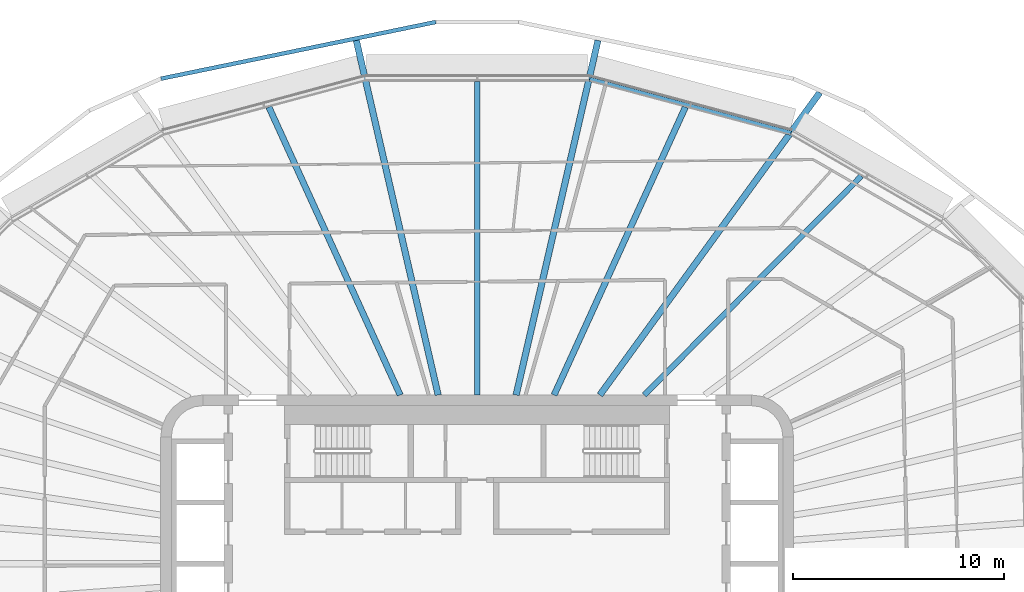
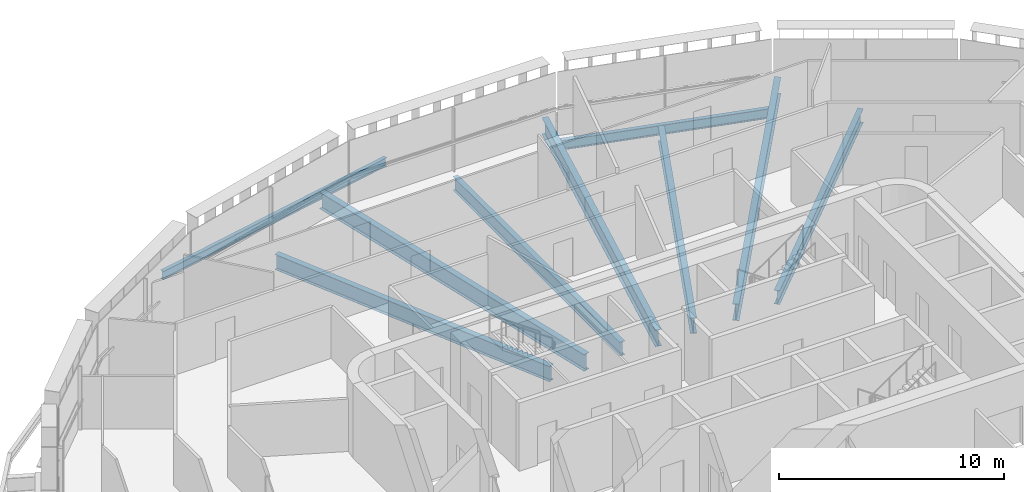
# One storey, part 6 of 23: 9 beams.
"""IFC4 building model written with IfcOpenShell, lengths in metres."""

from ifc_helpers import new_model, si_unit, direction, frame, origin, origin_2d, place, context, subcontext, project, spatial, i_section, extrude, material, material_profile, profile_set, type_object, element, save


model = new_model("IFC4")

# Units and contexts
model_context = context("Model", 3, precision=1e-05, world=origin(), true_north=direction((0.0, 1.0)))
body_context = subcontext(model_context, "Body", "Model", "MODEL_VIEW")
ifc_project = project(units=[si_unit("LENGTHUNIT", "METRE"), si_unit("AREAUNIT", "SQUARE_METRE"), si_unit("VOLUMEUNIT", "CUBIC_METRE"), si_unit("PLANEANGLEUNIT", "RADIAN"), si_unit("MASSUNIT", "GRAM", prefix="KILO")], contexts=[model_context])

# Site, building, storey
site_placement = place(None, origin())
site = spatial("IfcSite", under=ifc_project, at=site_placement, CompositionType="ELEMENT")
building_placement = place(site_placement, origin())
building = spatial("IfcBuilding", under=site, at=building_placement, Name="Sahrelin Media Tower", CompositionType="ELEMENT")
storey_placement = place(building_placement, frame((0.0, 0.0, 185.60009765625)))
storey = spatial("IfcBuildingStorey", under=building, at=storey_placement, Name="L39", CompositionType="ELEMENT", Elevation=185.60009765625)

# Beams
ifc_material = material(Name="Steel S355", Category="steel")
ifc_material_profile_1 = material_profile(ifc_material, i_section(OverallWidth=0.208740234375, OverallDepth=0.5283203125, WebThickness=0.009521484375, FlangeThickness=0.01318359375, FilletRadius=0.0126953125, at=origin_2d()), Name="UB 533x210x82")
ifc_profile_set_1 = profile_set([ifc_material_profile_1], Name="Steel S355")
beam_type_1 = type_object("IfcBeamType", Name="Edge beam EB6", PredefinedType="BEAM", material=ifc_profile_set_1)
beam_1_placement = place(storey_placement, frame((5.333984375, 22.97509765625, -0.414306640625), z_axis=(0.965928634298, -0.258808565244, 0.0), x_axis=(0.258808565244, 0.965928634298, 0.0)))
element("IfcBeam", 1, at=beam_1_placement, inside=storey, type_object=beam_type_1, Name="Edge beam L39-20", PredefinedType="BEAM", context=body_context, shape_type="SweptSolid", body=[
    extrude(i_section(OverallWidth=0.208740234375, OverallDepth=0.5283203125, WebThickness=0.009521484375, FlangeThickness=0.01318359375, FilletRadius=0.0126953125, at=origin_2d()), origin(), (0.0, 0.0, 1.0), 9.87744140625),
])
ifc_material_profile_2 = material_profile(ifc_material, i_section(OverallWidth=0.30322265625, OverallDepth=0.903076171875, WebThickness=0.01513671875, FlangeThickness=0.020263671875, FilletRadius=0.01904296875, at=origin_2d()), Name="UB 914x305x201")
ifc_profile_set_2 = profile_set([ifc_material_profile_2], Name="Steel S355")
beam_type_2 = type_object("IfcBeamType", Name="Radial primary beam PB11", PredefinedType="BEAM", material=ifc_profile_set_2)
beam_2_placement = place(storey_placement, frame((5.8173828125, 8.0, -0.6015625), z_axis=(0.588118455861, 0.808774802943, 0.0), x_axis=(-0.808774802943, 0.588118455861, 0.0)))
element("IfcBeam", 2, at=beam_2_placement, inside=storey, type_object=beam_type_2, Name="Radial beam L39-05", PredefinedType="BEAM", context=body_context, shape_type="SweptSolid", body=[
    extrude(i_section(OverallWidth=0.30322265625, OverallDepth=0.903076171875, WebThickness=0.01513671875, FlangeThickness=0.020263671875, FilletRadius=0.01904296875, at=origin_2d()), origin(), (0.0, 0.0, 1.0), 17.722900390625),
])
for number, where, z_axis, x_axis, name in (
    (3, (1.846923828125, 8.0, -0.6015625), (0.224939098631, 0.974372824902, 0.0), (-0.974372824902, 0.224939098631, 0.0), "Radial beam L39-06"),
    (4, (-1.846923828125, 8.0, -0.6015625), (-0.224939098631, 0.974372824902, 0.0), (-0.974372824902, -0.224939098631, 0.0), "Radial beam L39-07"),
):
    element("IfcBeam", number, at=place(storey_placement, frame(where, z_axis=z_axis, x_axis=x_axis)), inside=storey, type_object=beam_type_2, Name=name, PredefinedType="BEAM", context=body_context, shape_type="SweptSolid", body=[
        extrude(i_section(OverallWidth=0.30322265625, OverallDepth=0.903076171875, WebThickness=0.01513671875, FlangeThickness=0.020263671875, FilletRadius=0.01904296875, at=origin_2d()), origin(), (0.0, 0.0, 1.0), 17.249755859375),
    ])
ifc_material_profile_3 = material_profile(ifc_material, i_section(OverallWidth=0.291748046875, OverallDepth=0.8349609375, WebThickness=0.013916015625, FlangeThickness=0.018798828125, FilletRadius=0.017822265625, at=origin_2d()), Name="UB 838x292x176")
ifc_profile_set_3 = profile_set([ifc_material_profile_3], Name="Steel S355")
beam_type_3 = type_object("IfcBeamType", Name="Radial secondary beam SB10", PredefinedType="BEAM", material=ifc_profile_set_3)
for number, where, z_axis, x_axis, name in (
    (5, (3.647705078125, 8.0, -0.567626953125), (0.414888908569, 0.909872075374, 0.0), (-0.909872075374, 0.414888908569, 0.0), "Secondary beam L39-05"),
    (6, (-3.647705078125, 8.0, -0.567626953125), (-0.414888908569, 0.909872075374, 0.0), (-0.909872075374, -0.414888908569, 0.0), "Secondary beam L39-07"),
):
    element("IfcBeam", number, at=place(storey_placement, frame(where, z_axis=z_axis, x_axis=x_axis)), inside=storey, type_object=beam_type_3, Name=name, PredefinedType="BEAM", context=body_context, shape_type="SweptSolid", body=[
        extrude(i_section(OverallWidth=0.291748046875, OverallDepth=0.8349609375, WebThickness=0.013916015625, FlangeThickness=0.018798828125, FilletRadius=0.017822265625, at=origin_2d()), origin(), (0.0, 0.0, 1.0), 15.003173828125),
    ])
ifc_material_profile_4 = material_profile(ifc_material, i_section(OverallWidth=0.26513671875, OverallDepth=0.75390625, WebThickness=0.0126953125, FlangeThickness=0.017578125, FilletRadius=0.0166015625, at=origin_2d()), Name="UB 762x267x147")
ifc_profile_set_4 = profile_set([ifc_material_profile_4], Name="Steel S355")
beam_type_4 = type_object("IfcBeamType", Name="Radial secondary beam SB9", PredefinedType="BEAM", material=ifc_profile_set_4)
beam_3_placement = place(storey_placement, frame((7.927490234375, 8.0, -0.527099609375), z_axis=(0.70389286124, 0.710306159269, 0.0), x_axis=(-0.710306159269, 0.70389286124, 0.0)))
element("IfcBeam", 7, at=beam_3_placement, inside=storey, type_object=beam_type_4, Name="Secondary beam L39-04", PredefinedType="BEAM", context=body_context, shape_type="SweptSolid", body=[
    extrude(i_section(OverallWidth=0.26513671875, OverallDepth=0.75390625, WebThickness=0.0126953125, FlangeThickness=0.017578125, FilletRadius=0.0166015625, at=origin_2d()), origin(), (0.0, 0.0, 1.0), 14.6181640625),
])
beam_4_placement = place(storey_placement, frame((0.0, 8.0, -0.527099609375), z_axis=(0.0, 1.0, 0.0), x_axis=(-1.0, 0.0, 0.0)))
element("IfcBeam", 8, at=beam_4_placement, inside=storey, type_object=beam_type_4, Name="Secondary beam L39-06", PredefinedType="BEAM", context=body_context, shape_type="SweptSolid", body=[
    extrude(i_section(OverallWidth=0.26513671875, OverallDepth=0.75390625, WebThickness=0.0126953125, FlangeThickness=0.017578125, FilletRadius=0.0166015625, at=origin_2d()), origin(), (0.0, 0.0, 1.0), 14.864990234375),
])
ifc_material_profile_5 = material_profile(ifc_material, i_section(OverallWidth=0.1904296875, OverallDepth=0.45703125, WebThickness=0.009033203125, FlangeThickness=0.014404296875, FilletRadius=0.01025390625, at=origin_2d()), Name="UB 457x191x74")
ifc_profile_set_5 = profile_set([ifc_material_profile_5], Name="Steel S355")
beam_type_5 = type_object("IfcBeamType", Name="Tie chord TC5", PredefinedType="BEAM", material=ifc_profile_set_5)
beam_5_placement = place(storey_placement, frame((-1.958251953125, 25.681884765625, -0.378662109375), z_axis=(-0.979389291398, -0.201981721684, 0.0), x_axis=(0.201981721684, -0.979389291398, 0.0)))
element("IfcBeam", 9, at=beam_5_placement, inside=storey, type_object=beam_type_5, Name="Tie chord L39-07", PredefinedType="BEAM", context=body_context, shape_type="SweptSolid", body=[
    extrude(i_section(OverallWidth=0.1904296875, OverallDepth=0.45703125, WebThickness=0.009033203125, FlangeThickness=0.014404296875, FilletRadius=0.01025390625, at=origin_2d()), origin(), (0.0, 0.0, 1.0), 13.30322265625),
])

save(model, "model.ifc")
